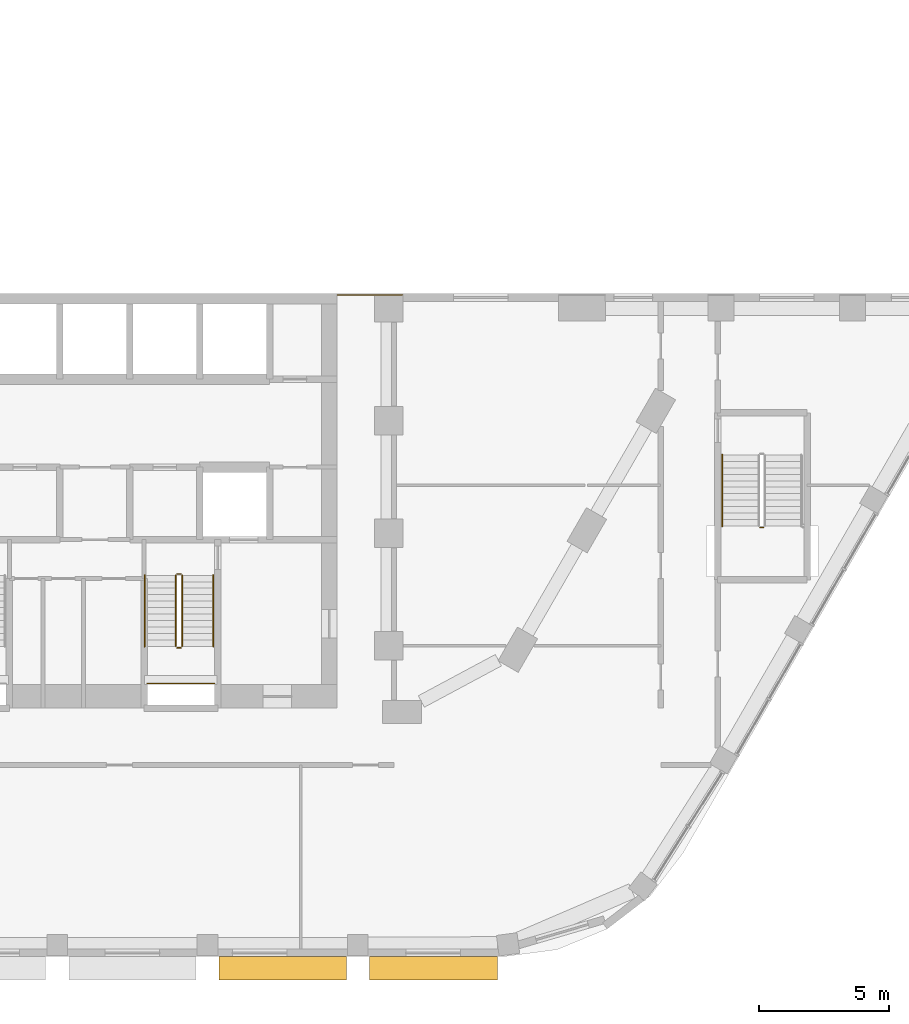
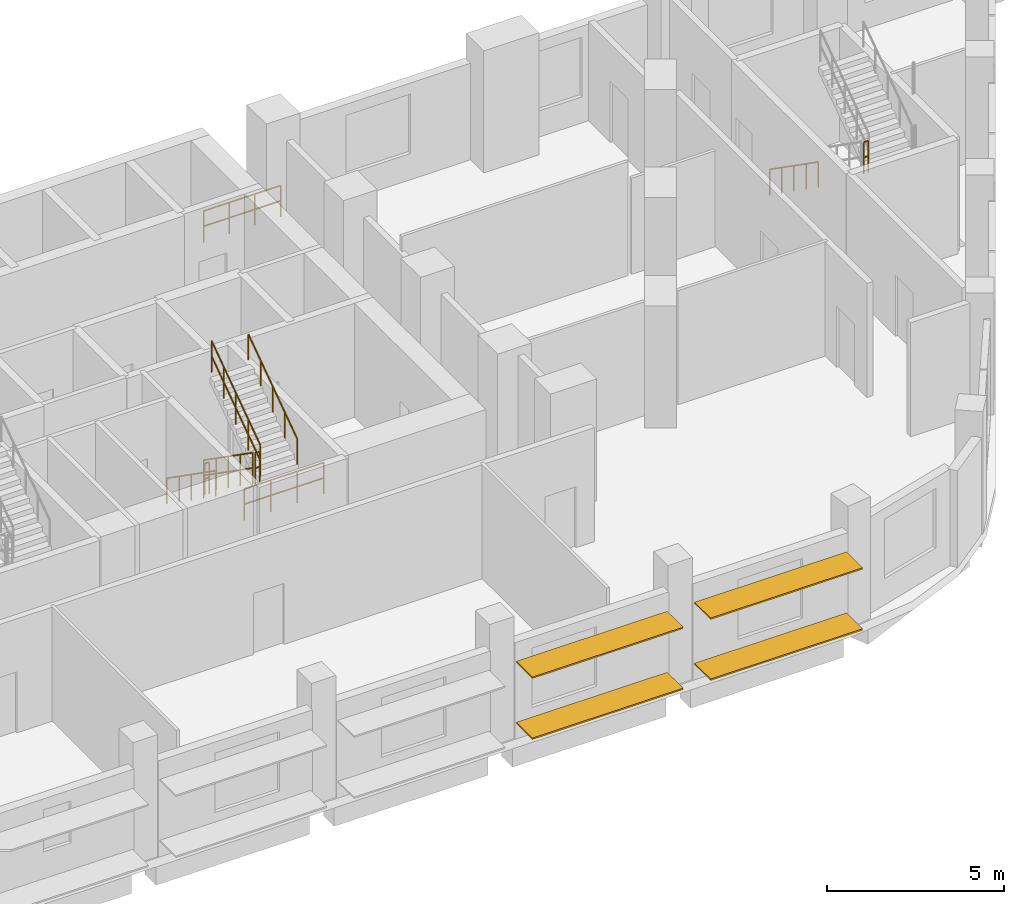
# One storey, part 19 of 22: 10 railings, 4 shading devices.
"""IFC4 building model written with IfcOpenShell, lengths in metres."""

from ifc_helpers import new_model, si_unit, direction, frame, origin, origin_2d, place, context, subcontext, project, spatial, rectangle, circle, extrude, material, material_profile, profile_set, type_object, element, save


model = new_model("IFC4")

# Units and contexts
model_context = context("Model", 3, precision=1e-05, world=origin(), true_north=direction((0.0, 1.0)))
body_context = subcontext(model_context, "Body", "Model", "MODEL_VIEW")
ifc_project = project(units=[si_unit("LENGTHUNIT", "METRE"), si_unit("AREAUNIT", "SQUARE_METRE"), si_unit("VOLUMEUNIT", "CUBIC_METRE"), si_unit("PLANEANGLEUNIT", "RADIAN"), si_unit("MASSUNIT", "GRAM", prefix="KILO")], contexts=[model_context])

# Site, building, storey
site_placement = place(None, origin())
site = spatial("IfcSite", under=ifc_project, at=site_placement, CompositionType="ELEMENT")
building_placement = place(site_placement, origin())
building = spatial("IfcBuilding", under=site, at=building_placement, Name="Nakaniwa Court", CompositionType="ELEMENT")
storey_placement = place(building_placement, frame((0.0, 0.0, 24.0)))
storey = spatial("IfcBuildingStorey", under=building, at=storey_placement, Name="L05", CompositionType="ELEMENT", Elevation=24.0)

# Shading devices
ifc_material_1 = material(Name="Perforated charcoal ceramic louvre blade")
ifc_material_profile = material_profile(ifc_material_1, rectangle(XDim=0.89990234375, YDim=0.050048828125, at=origin_2d()), Name="Perforated ceramic louvre blade")
ifc_profile_set = profile_set([ifc_material_profile], Name="Perforated charcoal ceramic louvre blade")
shading_device_type = type_object("IfcShadingDeviceType", Name="Perforated ceramic louvre blade", PredefinedType="JALOUSIE", material=ifc_profile_set)
for number, where, z_axis, x_axis, name in (
    (1, (83.448486328125, 46.550048828125, 0.550048828125), (1.0, 0.0, 0.0), (0.0, 1.0, 0.0), "L05 perforated ceramic louvre blade w22 1"),
    (2, (83.448486328125, 46.550048828125, 2.64990234375), (1.0, 0.0, 0.0), (0.0, 1.0, 0.0), "L05 perforated ceramic louvre blade w22 2"),
):
    element("IfcShadingDevice", number, at=place(storey_placement, frame(where, z_axis=z_axis, x_axis=x_axis)), inside=storey, type_object=shading_device_type, Name=name, PredefinedType="JALOUSIE", context=body_context, shape_type="SweptSolid", body=[
        extrude(rectangle(XDim=0.89990234375, YDim=0.050048828125, at=origin_2d()), origin(), (0.0, 0.0, 1.0), 4.910400390625),
    ])
for number, where, z_axis, x_axis, name in (
    (3, (89.250732421875, 46.550048828125, 0.550048828125), (1.0, 0.0, 0.0), (0.0, 1.0, 0.0), "L05 perforated ceramic louvre blade w23 1"),
    (4, (89.250732421875, 46.550048828125, 2.64990234375), (1.0, 0.0, 0.0), (0.0, 1.0, 0.0), "L05 perforated ceramic louvre blade w23 2"),
):
    element("IfcShadingDevice", number, at=place(storey_placement, frame(where, z_axis=z_axis, x_axis=x_axis)), inside=storey, type_object=shading_device_type, Name=name, PredefinedType="JALOUSIE", context=body_context, shape_type="SweptSolid", body=[
        extrude(rectangle(XDim=0.89990234375, YDim=0.050048828125, at=origin_2d()), origin(), (0.0, 0.0, 1.0), 4.947998046875),
    ])

# Railings
ifc_material_2 = material(Name="Black powder coated steel guard", Category="steel")
railing_type_1 = type_object("IfcRailingType", Name="Stair guard 1100", PredefinedType="GUARDRAIL", material=ifc_material_2)
railing_1_placement = place(storey_placement, frame((81.77490234375, 61.72509765625, 0.175048828125)))
element("IfcRailing", 5, at=railing_1_placement, inside=storey, type_object=railing_type_1, Name="L05 ST4 stair guard 1", PredefinedType="GUARDRAIL", context=body_context, shape_type="SweptSolid", body=[
    extrude(circle(Radius=0.02392578125, at=origin_2d()), frame((0.0, 0.0, 1.076171875), z_axis=(0.0, -0.819225086817, 0.573472106672), x_axis=(1.0, 0.0, 0.0)), (0.0, 0.0, 1.0), 3.35693359375),
    extrude(circle(Radius=0.02392578125, at=origin_2d()), frame((0.0, 0.0, 0.550048828125), z_axis=(0.0, -0.819225086817, 0.573472106672), x_axis=(1.0, 0.0, 0.0)), (0.0, 0.0, 1.0), 3.35693359375),
    extrude(circle(Radius=0.02099609375, at=origin_2d()), origin(), (0.0, 0.0, 1.0), 1.052001953125),
    extrude(circle(Radius=0.02099609375, at=origin_2d()), frame((0.0, -0.6875, 0.481201171875)), (0.0, 0.0, 1.0), 1.052001953125),
    extrude(circle(Radius=0.02099609375, at=origin_2d()), frame((0.0, -1.375, 0.96240234375)), (0.0, 0.0, 1.0), 1.052001953125),
    extrude(circle(Radius=0.02099609375, at=origin_2d()), frame((0.0, -2.0625, 1.44384765625)), (0.0, 0.0, 1.0), 1.052001953125),
    extrude(circle(Radius=0.02099609375, at=origin_2d()), frame((0.0, -2.75, 1.925048828125)), (0.0, 0.0, 1.0), 1.052001953125),
])
railing_2_placement = place(storey_placement, frame((81.824951171875, 58.925048828125, 2.10009765625)))
element("IfcRailing", 6, at=railing_2_placement, inside=storey, type_object=railing_type_1, Name="L05 ST4 stair guard 2", PredefinedType="GUARDRAIL", context=body_context, shape_type="SweptSolid", body=[
    extrude(circle(Radius=0.02392578125, at=origin_2d()), frame((0.0, 0.0, 1.076171875), z_axis=(1.0, 0.0, 0.0), x_axis=(0.0, 1.0, 0.0)), (0.0, 0.0, 1.0), 0.150146484375),
    extrude(circle(Radius=0.02392578125, at=origin_2d()), frame((0.0, 0.0, 0.550048828125), z_axis=(1.0, 0.0, 0.0), x_axis=(0.0, 1.0, 0.0)), (0.0, 0.0, 1.0), 0.150146484375),
    extrude(circle(Radius=0.02099609375, at=origin_2d()), origin(), (0.0, 0.0, 1.0), 1.052001953125),
    extrude(circle(Radius=0.02099609375, at=origin_2d()), frame((0.150146484375, 0.0, 0.0)), (0.0, 0.0, 1.0), 1.052001953125),
])
railing_3_placement = place(storey_placement, frame((82.02490234375, 58.97509765625, 2.27490234375)))
element("IfcRailing", 7, at=railing_3_placement, inside=storey, type_object=railing_type_1, Name="L05 ST4 stair guard 3", PredefinedType="GUARDRAIL", context=body_context, shape_type="SweptSolid", body=[
    extrude(circle(Radius=0.02392578125, at=origin_2d()), frame((0.0, 0.0, 1.076171875), z_axis=(0.0, 0.819225086817, 0.573472106672), x_axis=(-1.0, 0.0, 0.0)), (0.0, 0.0, 1.0), 3.35693359375),
    extrude(circle(Radius=0.02392578125, at=origin_2d()), frame((0.0, 0.0, 0.550048828125), z_axis=(0.0, 0.819225086817, 0.573472106672), x_axis=(-1.0, 0.0, 0.0)), (0.0, 0.0, 1.0), 3.35693359375),
    extrude(circle(Radius=0.02099609375, at=origin_2d()), origin(), (0.0, 0.0, 1.0), 1.052001953125),
    extrude(circle(Radius=0.02099609375, at=origin_2d()), frame((0.0, 0.6875, 0.481201171875)), (0.0, 0.0, 1.0), 1.052001953125),
    extrude(circle(Radius=0.02099609375, at=origin_2d()), frame((0.0, 1.375, 0.96240234375)), (0.0, 0.0, 1.0), 1.052001953125),
    extrude(circle(Radius=0.02099609375, at=origin_2d()), frame((0.0, 2.0625, 1.44384765625)), (0.0, 0.0, 1.0), 1.052001953125),
    extrude(circle(Radius=0.02099609375, at=origin_2d()), frame((0.0, 2.75, 1.925048828125)), (0.0, 0.0, 1.0), 1.052001953125),
])
railing_4_placement = place(storey_placement, frame((81.824951171875, 61.77490234375, 0.0)))
element("IfcRailing", 8, at=railing_4_placement, inside=storey, type_object=railing_type_1, Name="L05 ST4 stair guard 4", PredefinedType="GUARDRAIL", context=body_context, shape_type="SweptSolid", body=[
    extrude(circle(Radius=0.02392578125, at=origin_2d()), frame((0.0, 0.0, 1.076171875), z_axis=(1.0, 0.0, 0.0), x_axis=(0.0, 1.0, 0.0)), (0.0, 0.0, 1.0), 0.150146484375),
    extrude(circle(Radius=0.02392578125, at=origin_2d()), frame((0.0, 0.0, 0.550048828125), z_axis=(1.0, 0.0, 0.0), x_axis=(0.0, 1.0, 0.0)), (0.0, 0.0, 1.0), 0.150146484375),
    extrude(circle(Radius=0.02099609375, at=origin_2d()), origin(), (0.0, 0.0, 1.0), 1.052001953125),
    extrude(circle(Radius=0.02099609375, at=origin_2d()), frame((0.150146484375, 0.0, 0.0)), (0.0, 0.0, 1.0), 1.052001953125),
])
railing_5_placement = place(storey_placement, frame((80.675048828125, 57.550048828125, 2.10009765625)))
element("IfcRailing", 9, at=railing_5_placement, inside=storey, type_object=railing_type_1, Name="L05 ST4 landing end guard 1", PredefinedType="GUARDRAIL", context=body_context, shape_type="SweptSolid", body=[
    extrude(circle(Radius=0.02392578125, at=origin_2d()), frame((0.0, 0.0, 1.076171875), z_axis=(1.0, 0.0, 0.0), x_axis=(0.0, 1.0, 0.0)), (0.0, 0.0, 1.0), 2.599853515625),
    extrude(circle(Radius=0.02392578125, at=origin_2d()), frame((0.0, 0.0, 0.550048828125), z_axis=(1.0, 0.0, 0.0), x_axis=(0.0, 1.0, 0.0)), (0.0, 0.0, 1.0), 2.599853515625),
    extrude(circle(Radius=0.02099609375, at=origin_2d()), origin(), (0.0, 0.0, 1.0), 1.052001953125),
    extrude(circle(Radius=0.02099609375, at=origin_2d()), frame((0.86669921875, 0.0, 0.0)), (0.0, 0.0, 1.0), 1.052001953125),
    extrude(circle(Radius=0.02099609375, at=origin_2d()), frame((1.733154296875, 0.0, 0.0)), (0.0, 0.0, 1.0), 1.052001953125),
    extrude(circle(Radius=0.02099609375, at=origin_2d()), frame((2.599853515625, 0.0, 0.0)), (0.0, 0.0, 1.0), 1.052001953125),
])
railing_6_placement = place(storey_placement, frame((104.324951171875, 63.574951171875, 2.10009765625)))
element("IfcRailing", 10, at=railing_6_placement, inside=storey, type_object=railing_type_1, Name="L05 SS3 stair guard 2", PredefinedType="GUARDRAIL", context=body_context, shape_type="SweptSolid", body=[
    extrude(circle(Radius=0.02392578125, at=origin_2d()), frame((0.0, 0.0, 1.076171875), z_axis=(1.0, 0.0, 0.0), x_axis=(0.0, 1.0, 0.0)), (0.0, 0.0, 1.0), 0.150146484375),
    extrude(circle(Radius=0.02392578125, at=origin_2d()), frame((0.0, 0.0, 0.550048828125), z_axis=(1.0, 0.0, 0.0), x_axis=(0.0, 1.0, 0.0)), (0.0, 0.0, 1.0), 0.150146484375),
    extrude(circle(Radius=0.02099609375, at=origin_2d()), origin(), (0.0, 0.0, 1.0), 1.052001953125),
    extrude(circle(Radius=0.02099609375, at=origin_2d()), frame((0.150146484375, 0.0, 0.0)), (0.0, 0.0, 1.0), 1.052001953125),
])
railing_7_placement = place(storey_placement, frame((88.014892578125, 72.550048828125, 0.0)))
element("IfcRailing", 11, at=railing_7_placement, inside=storey, type_object=railing_type_1, Name="GUARD GD-L05-086", PredefinedType="GUARDRAIL", context=body_context, shape_type="SweptSolid", body=[
    extrude(circle(Radius=0.02392578125, at=origin_2d()), frame((0.0, 0.0, 1.076171875), z_axis=(1.0, 0.0, 0.0), x_axis=(0.0, 1.0, 0.0)), (0.0, 0.0, 1.0), 2.507080078125),
    extrude(circle(Radius=0.02392578125, at=origin_2d()), frame((0.0, 0.0, 0.550048828125), z_axis=(1.0, 0.0, 0.0), x_axis=(0.0, 1.0, 0.0)), (0.0, 0.0, 1.0), 2.507080078125),
    extrude(circle(Radius=0.02099609375, at=origin_2d()), origin(), (0.0, 0.0, 1.0), 1.052001953125),
    extrude(circle(Radius=0.02099609375, at=origin_2d()), frame((0.835693359375, 0.0, 0.0)), (0.0, 0.0, 1.0), 1.052001953125),
    extrude(circle(Radius=0.02099609375, at=origin_2d()), frame((1.67138671875, 0.0, 0.0)), (0.0, 0.0, 1.0), 1.052001953125),
    extrude(circle(Radius=0.02099609375, at=origin_2d()), frame((2.507080078125, 0.0, 0.0)), (0.0, 0.0, 1.0), 1.052001953125),
])
ifc_material_3 = material(Name="Black powder coated steel handrail", Category="steel")
railing_type_2 = type_object("IfcRailingType", Name="Stair handrail 900", PredefinedType="HANDRAIL", material=ifc_material_3)
railing_8_placement = place(storey_placement, frame((80.574951171875, 61.72509765625, 0.175048828125)))
element("IfcRailing", 12, at=railing_8_placement, inside=storey, type_object=railing_type_2, Name="L05 ST4 stair handrail 1", PredefinedType="HANDRAIL", context=body_context, shape_type="SweptSolid", body=[
    extrude(circle(Radius=0.02392578125, at=origin_2d()), frame((0.0, 0.0, 0.8759765625), z_axis=(0.0, -0.819225086817, 0.573472106672), x_axis=(1.0, 0.0, 0.0)), (0.0, 0.0, 1.0), 3.35693359375),
    extrude(circle(Radius=0.02099609375, at=origin_2d()), origin(), (0.0, 0.0, 1.0), 0.851806640625),
    extrude(circle(Radius=0.02099609375, at=origin_2d()), frame((0.0, -0.6875, 0.481201171875)), (0.0, 0.0, 1.0), 0.851806640625),
    extrude(circle(Radius=0.02099609375, at=origin_2d()), frame((0.0, -1.375, 0.96240234375)), (0.0, 0.0, 1.0), 0.851806640625),
    extrude(circle(Radius=0.02099609375, at=origin_2d()), frame((0.0, -2.0625, 1.44384765625)), (0.0, 0.0, 1.0), 0.851806640625),
    extrude(circle(Radius=0.02099609375, at=origin_2d()), frame((0.0, -2.75, 1.925048828125)), (0.0, 0.0, 1.0), 0.851806640625),
])
railing_9_placement = place(storey_placement, frame((83.22509765625, 58.97509765625, 2.27490234375)))
element("IfcRailing", 13, at=railing_9_placement, inside=storey, type_object=railing_type_2, Name="L05 ST4 stair handrail 2", PredefinedType="HANDRAIL", context=body_context, shape_type="SweptSolid", body=[
    extrude(circle(Radius=0.02392578125, at=origin_2d()), frame((0.0, 0.0, 0.8759765625), z_axis=(0.0, 0.819225086817, 0.573472106672), x_axis=(-1.0, 0.0, 0.0)), (0.0, 0.0, 1.0), 3.35693359375),
    extrude(circle(Radius=0.02099609375, at=origin_2d()), origin(), (0.0, 0.0, 1.0), 0.851806640625),
    extrude(circle(Radius=0.02099609375, at=origin_2d()), frame((0.0, 0.6875, 0.481201171875)), (0.0, 0.0, 1.0), 0.851806640625),
    extrude(circle(Radius=0.02099609375, at=origin_2d()), frame((0.0, 1.375, 0.96240234375)), (0.0, 0.0, 1.0), 0.851806640625),
    extrude(circle(Radius=0.02099609375, at=origin_2d()), frame((0.0, 2.0625, 1.44384765625)), (0.0, 0.0, 1.0), 0.851806640625),
    extrude(circle(Radius=0.02099609375, at=origin_2d()), frame((0.0, 2.75, 1.925048828125)), (0.0, 0.0, 1.0), 0.851806640625),
])
railing_10_placement = place(storey_placement, frame((102.875, 66.375, 0.175048828125)))
element("IfcRailing", 14, at=railing_10_placement, inside=storey, type_object=railing_type_2, Name="L05 SS3 stair handrail 1", PredefinedType="HANDRAIL", context=body_context, shape_type="SweptSolid", body=[
    extrude(circle(Radius=0.02392578125, at=origin_2d()), frame((0.0, 0.0, 0.8759765625), z_axis=(0.0, -0.819225086817, 0.573472106672), x_axis=(1.0, 0.0, 0.0)), (0.0, 0.0, 1.0), 3.35693359375),
    extrude(circle(Radius=0.02099609375, at=origin_2d()), origin(), (0.0, 0.0, 1.0), 0.851806640625),
    extrude(circle(Radius=0.02099609375, at=origin_2d()), frame((0.0, -0.6875, 0.481201171875)), (0.0, 0.0, 1.0), 0.851806640625),
    extrude(circle(Radius=0.02099609375, at=origin_2d()), frame((0.0, -1.375, 0.96240234375)), (0.0, 0.0, 1.0), 0.851806640625),
    extrude(circle(Radius=0.02099609375, at=origin_2d()), frame((0.0, -2.0625, 1.44384765625)), (0.0, 0.0, 1.0), 0.851806640625),
    extrude(circle(Radius=0.02099609375, at=origin_2d()), frame((0.0, -2.75, 1.925048828125)), (0.0, 0.0, 1.0), 0.851806640625),
])

save(model, "model.ifc")
